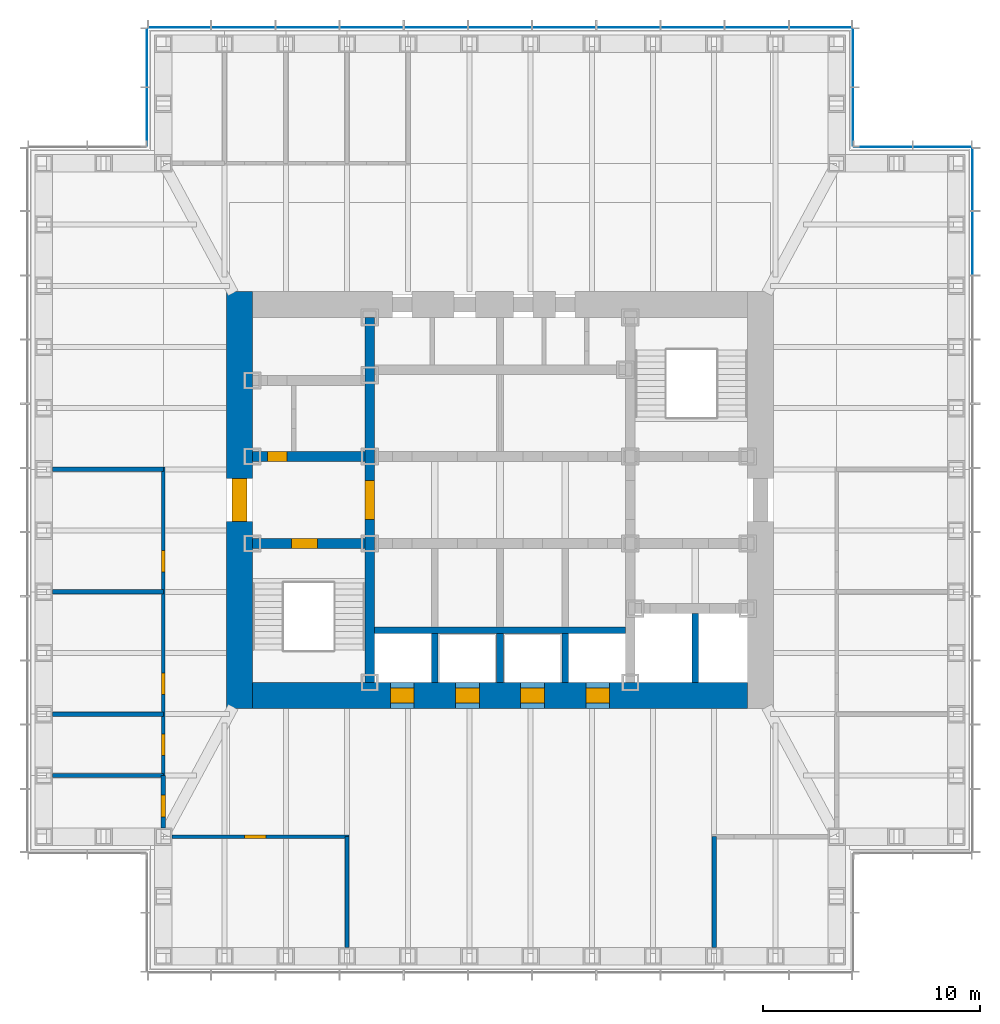
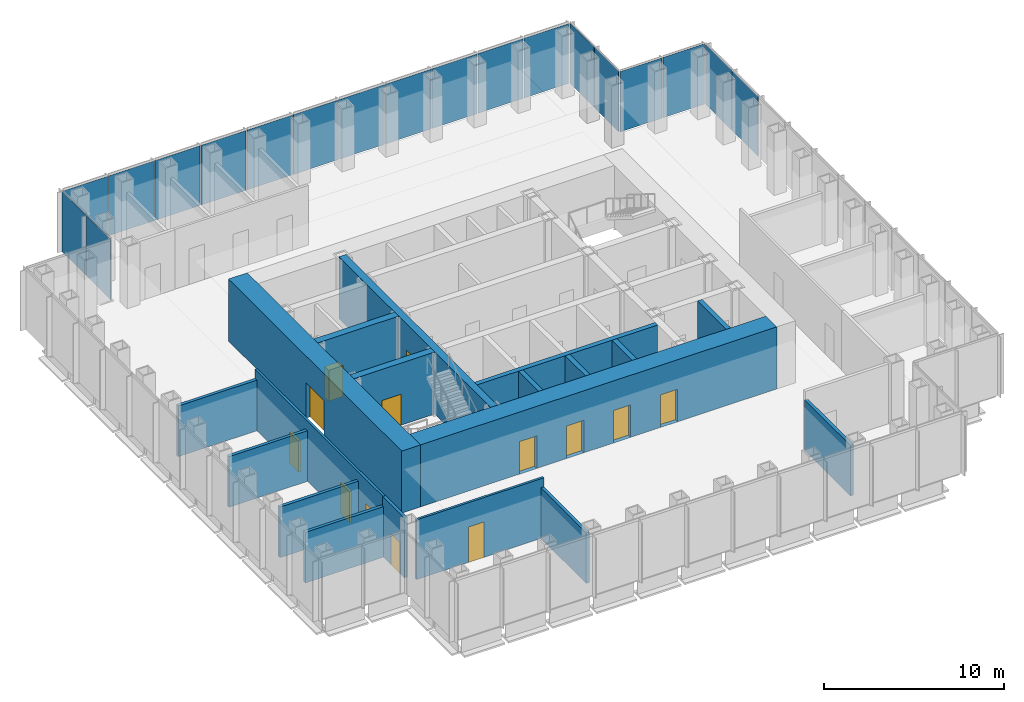
# One storey, part 8 of 16: 19 plates, 19 walls, 13 doors, 13 openings, 5 elements without a shape of their own.
"""IFC4 building model written with IfcOpenShell, lengths in metres."""

import ifcopenshell
import ifcopenshell.guid

model = None  # the IFC model being written
_history = None  # IfcOwnerHistory: only IFC2X3 demands one
_inside = {}  # id of a spatial element -> (the spatial element, [elements in it])
_under = {}  # id of a project, library or spatial element -> (it, [spatial elements below it])
_declared = {}  # id of a project -> (the project, [libraries it declares])
_typed = {}  # id of a type object -> (the type object, [elements of that type])
_made_of = {}  # id of a material, layer set ... -> (it, [elements and type objects made of it])


def new_model(schema):
    """Start an empty IFC model of exactly this schema.

    Asked for "IFC4X3", IfcOpenShell would pick the latest addendum, in which some entities
    have other attributes; the version numbers below select the first issue.
    IFC2X3 requires an IfcOwnerHistory on every rooted entity: one is made here for all.
    """
    global model, _history
    if schema == "IFC4X3":
        model = ifcopenshell.file(schema_version=(4, 3, 0, 0))
    else:
        model = ifcopenshell.file(schema=schema)
    _inside.clear()
    _under.clear()
    _declared.clear()
    _typed.clear()
    _made_of.clear()
    _history = None
    if model.schema == "IFC2X3":
        org = make("IfcOrganization", Name="unknown")
        user = make(
            "IfcPersonAndOrganization",
            ThePerson=make("IfcPerson", FamilyName="unknown"),
            TheOrganization=org,
        )
        app = make(
            "IfcApplication",
            ApplicationDeveloper=org,
            Version="unknown",
            ApplicationFullName="unknown",
            ApplicationIdentifier="unknown",
        )
        _history = make(
            "IfcOwnerHistory",
            OwningUser=user,
            OwningApplication=app,
            ChangeAction="ADDED",
            CreationDate=0,
        )
    return model


def make(cls, **values):
    """One entity of the class cls with the attributes given. An attribute that is None is left unset."""
    return model.create_entity(
        cls, **{name: value for name, value in values.items() if value is not None}
    )


def rooted(cls, **values):
    """An entity with a GlobalId (a new one), such as an element, a storey or a relation."""
    return make(cls, GlobalId=ifcopenshell.guid.new(), OwnerHistory=_history, **values)


def si_unit(unit_type, name, prefix=None):
    """IfcSIUnit, for example si_unit("LENGTHUNIT", "METRE", prefix="MILLI")."""
    return make("IfcSIUnit", UnitType=unit_type, Prefix=prefix, Name=name)


def assignment(units):
    """IfcUnitAssignment: the units of a project."""
    return None if units is None else make("IfcUnitAssignment", Units=units)


def point(xyz):
    """IfcCartesianPoint."""
    return None if xyz is None else make("IfcCartesianPoint", Coordinates=xyz)


def direction(xyz):
    """IfcDirection."""
    return None if xyz is None else make("IfcDirection", DirectionRatios=xyz)


def frame(location, z_axis=None, x_axis=None):
    """IfcAxis2Placement3D, a coordinate frame: its origin and axes. An axis left out is left unset."""
    return make(
        "IfcAxis2Placement3D",
        Location=point(location),
        Axis=direction(z_axis),
        RefDirection=direction(x_axis),
    )


def frame_2d(location, x_axis=None):
    """IfcAxis2Placement2D, a coordinate frame in the plane: its origin and x axis."""
    return make(
        "IfcAxis2Placement2D", Location=point(location), RefDirection=direction(x_axis)
    )


def origin():
    """The frame at (0, 0, 0) with its axes left unset."""
    return frame((0.0, 0.0, 0.0))


def origin_2d():
    """The frame at (0, 0) in the plane with its x axis left unset."""
    return frame_2d((0.0, 0.0))


def place(relative_to, where):
    """IfcLocalPlacement: puts the frame where relative to a parent placement (None: the world)."""
    return make(
        "IfcLocalPlacement", PlacementRelTo=relative_to, RelativePlacement=where
    )


def context(
    kind, dimensions, precision=None, world=None, true_north=None, identifier=None
):
    """IfcGeometricRepresentationContext, for example the 3D "Model" context."""
    return make(
        "IfcGeometricRepresentationContext",
        ContextIdentifier=identifier,
        ContextType=kind,
        CoordinateSpaceDimension=dimensions,
        Precision=precision,
        WorldCoordinateSystem=world,
        TrueNorth=true_north,
    )


def subcontext(parent, identifier, kind, view, scale=None):
    """IfcGeometricRepresentationSubContext, for example "Body" below "Model"."""
    return make(
        "IfcGeometricRepresentationSubContext",
        ContextIdentifier=identifier,
        ContextType=kind,
        ParentContext=parent,
        TargetScale=scale,
        TargetView=view,
    )


def project(units=None, contexts=None):
    """IfcProject with its units and contexts."""
    return rooted(
        "IfcProject",
        Name="project",
        RepresentationContexts=contexts,
        UnitsInContext=assignment(units),
    )


def spatial(cls, under=None, at=None, **own):
    """A site, building, storey or space (cls), placed at a placement, below another one or the project."""
    s = rooted(cls, ObjectPlacement=at, **own)
    if under is not None:
        _under.setdefault(under.id(), (under, []))[1].append(s)
    return s


def profile(cls, at=None, kind="AREA", **sizes):
    """A parametric profile (cls). Its sizes go by their IFC names, for example OverallWidth=200.0."""
    return make(cls, ProfileType=kind, Position=at, **sizes)


def rectangle(**sizes):
    """IfcRectangleProfileDef."""
    return profile("IfcRectangleProfileDef", **sizes)


def extrude(swept, where, along, depth):
    """IfcExtrudedAreaSolid: the profile swept, set in the frame where, extruded along a direction by depth."""
    return make(
        "IfcExtrudedAreaSolid",
        SweptArea=swept,
        Position=where,
        ExtrudedDirection=direction(along),
        Depth=depth,
    )


def shape(context_of_items, identifier, shape_type, items):
    """IfcShapeRepresentation: the items that make up one representation, for example the "Body"."""
    return make(
        "IfcShapeRepresentation",
        ContextOfItems=context_of_items,
        RepresentationIdentifier=identifier,
        RepresentationType=shape_type,
        Items=items,
    )


def material(Name=None, Category=None):
    """IfcMaterial."""
    return make("IfcMaterial", Name=Name, Category=Category)


def layer(
    of_material, thickness, ventilated=None, Name=None, Category=None, Priority=None
):
    """IfcMaterialLayer: one layer of a wall or slab, of a material (None: an air gap)."""
    return make(
        "IfcMaterialLayer",
        Material=of_material,
        LayerThickness=thickness,
        IsVentilated=ventilated,
        Name=Name,
        Category=Category,
        Priority=Priority,
    )


def layer_set(layers, Name=None):
    """IfcMaterialLayerSet."""
    return make("IfcMaterialLayerSet", MaterialLayers=layers, LayerSetName=Name)


def made_of(thing, what):
    """Note that an element or type object is made of a material, layer set ...; save() writes the relation."""
    if what is not None:
        _made_of.setdefault(what.id(), (what, []))[1].append(thing)
    return thing


def type_object(cls, material=None, **own):
    """A type object (cls), such as IfcWallType, which elements share."""
    return made_of(rooted(cls, **own), material)


def element(
    cls,
    number,
    at=None,
    inside=None,
    cuts=None,
    type_object=None,
    material=None,
    context=None,
    identifier="Body",
    shape_type=None,
    held_by="IfcProductDefinitionShape",
    body=None,
    shapes=None,
    **own,
):
    """One element of the class cls, such as IfcWall. Its Tag is "e" and its number.

    at: its placement. inside: the storey or other place that contains it. cuts: it is an
    opening in that element (IfcRelVoidsElement). A single representation is given by context,
    identifier, shape_type and body (its items); several are given by shapes. held_by: the class
    of the entity that holds the representations. save() writes the other relations.
    """
    e = rooted(cls, Tag="e%d" % number, ObjectPlacement=at, **own)
    if body is not None:
        shapes = [shape(context, identifier, shape_type, body)]
    if shapes is not None:
        e.Representation = make(held_by, Representations=shapes)
    if inside is not None:
        _inside.setdefault(inside.id(), (inside, []))[1].append(e)
    if cuts is not None:
        rooted(
            "IfcRelVoidsElement", RelatingBuildingElement=cuts, RelatedOpeningElement=e
        )
    if type_object is not None:
        _typed.setdefault(type_object.id(), (type_object, []))[1].append(e)
    return made_of(e, material)


def fill(opening, filler):
    """IfcRelFillsElement: the door or window that sits in an opening."""
    return rooted(
        "IfcRelFillsElement",
        RelatingOpeningElement=opening,
        RelatedBuildingElement=filler,
    )


def aggregate(whole, parts):
    """IfcRelAggregates: a whole, such as a stair, and the parts it consists of."""
    return rooted("IfcRelAggregates", RelatingObject=whole, RelatedObjects=parts)


def save(model, path):
    """Write the relations noted so far, then the file.

    IfcRelAggregates (storeys below a building ...), IfcRelContainedInSpatialStructure (elements
    in a storey), IfcRelDefinesByType, IfcRelAssociatesMaterial and IfcRelDeclares: one each for
    every whole, place, type object, material and project.
    """
    for whole, parts in _under.values():
        aggregate(whole, parts)
    for where, things in _inside.values():
        rooted(
            "IfcRelContainedInSpatialStructure",
            RelatedElements=things,
            RelatingStructure=where,
        )
    for kind, things in _typed.values():
        rooted("IfcRelDefinesByType", RelatedObjects=things, RelatingType=kind)
    for what, things in _made_of.values():
        rooted("IfcRelAssociatesMaterial", RelatedObjects=things, RelatingMaterial=what)
    for by, libraries in _declared.values():
        rooted("IfcRelDeclares", RelatingContext=by, RelatedDefinitions=libraries)
    model.write(path)


model = new_model("IFC4")

# Units and contexts
model_context = context("Model", 3, precision=1e-05, world=origin(), true_north=direction((0.0, 1.0)))
body_context = subcontext(model_context, "Body", "Model", "MODEL_VIEW")
ifc_project = project(units=[si_unit("LENGTHUNIT", "METRE"), si_unit("AREAUNIT", "SQUARE_METRE"), si_unit("VOLUMEUNIT", "CUBIC_METRE"), si_unit("PLANEANGLEUNIT", "RADIAN"), si_unit("MASSUNIT", "GRAM", prefix="KILO")], contexts=[model_context])

# Site, building, storey
site_placement = place(None, origin())
site = spatial("IfcSite", under=ifc_project, at=site_placement, CompositionType="ELEMENT")
building_placement = place(site_placement, origin())
building = spatial("IfcBuilding", under=site, at=building_placement, Name="Daluyong Arena Tower", CompositionType="ELEMENT")
storey_placement = place(building_placement, frame((0.0, 0.0, 235.89990234375)))
storey = spatial("IfcBuildingStorey", under=building, at=storey_placement, Name="L53", CompositionType="ELEMENT", Elevation=235.89990234375)

# Curtain wall, plates
ifc_material_1 = material(Name="Bronze anodised aluminium and glass", Category="aluminium")
curtain_wall_type_1 = type_object("IfcCurtainWallType", Name="Curtain wall CW3", PredefinedType="USERDEFINED", material=ifc_material_1)
curtain_wall_1_placement = place(storey_placement, origin())
curtain_wall_1 = element("IfcCurtainWall", 1, at=curtain_wall_1_placement, inside=storey, type_object=curtain_wall_type_1, Name="curtain wall L53 E", ObjectType="UNITISED CURTAIN WALL", PredefinedType="USERDEFINED")
ifc_material_2 = material(Name="Tinted double glazed unit", Category="glass")
ifc_layer_1 = layer(ifc_material_2, 0.030029296875)
ifc_layer_set_1 = layer_set([ifc_layer_1], Name="Tinted double glazed unit")
plate_type_1 = type_object("IfcPlateType", Name="CW3 panel 30", PredefinedType="CURTAIN_PANEL", material=ifc_layer_set_1)
plate_1_placement = place(storey_placement, frame((77.75, 91.818115234375, 0.0), z_axis=(0.0, 0.0, 1.0), x_axis=(0.0, 1.0, 0.0)))
plate_1 = element("IfcPlate", 2, at=plate_1_placement, type_object=plate_type_1, Name="curtain wall L53 E panel 10", PredefinedType="CURTAIN_PANEL", context=body_context, shape_type="SweptSolid", body=[
    extrude(rectangle(XDim=2.884521484375, YDim=0.030029296875, at=origin_2d()), origin(), (0.0, 0.0, 1.0), 4.0400390625),
])
plate_2_placement = place(storey_placement, frame((77.75, 94.755126953125, 0.0), z_axis=(0.0, 0.0, 1.0), x_axis=(0.0, 1.0, 0.0)))
plate_2 = element("IfcPlate", 3, at=plate_2_placement, type_object=plate_type_1, Name="curtain wall L53 E panel 11", PredefinedType="CURTAIN_PANEL", context=body_context, shape_type="SweptSolid", body=[
    extrude(rectangle(XDim=2.849609375, YDim=0.030029296875, at=origin_2d()), origin(), (0.0, 0.0, 1.0), 4.0400390625),
])
aggregate(curtain_wall_1, [plate_1, plate_2])

curtain_wall_2_placement = place(storey_placement, origin())
curtain_wall_2 = element("IfcCurtainWall", 4, at=curtain_wall_2_placement, inside=storey, type_object=curtain_wall_type_1, Name="curtain wall L53 N", ObjectType="UNITISED CURTAIN WALL", PredefinedType="USERDEFINED")
plate_3_placement = place(storey_placement, frame((70.755126953125, 101.75, 0.0), z_axis=(0.0, 0.0, 1.0), x_axis=(-1.0, 0.0, 0.0)))
plate_3 = element("IfcPlate", 5, at=plate_3_placement, type_object=plate_type_1, Name="curtain wall L53 N panel 1", PredefinedType="CURTAIN_PANEL", context=body_context, shape_type="SweptSolid", body=[
    extrude(rectangle(XDim=2.849609375, YDim=0.030029296875, at=origin_2d()), origin(), (0.0, 0.0, 1.0), 4.0400390625),
])
plate_4_placement = place(storey_placement, frame((67.818115234375, 101.75, 0.0), z_axis=(0.0, 0.0, 1.0), x_axis=(-1.0, 0.0, 0.0)))
plate_4 = element("IfcPlate", 6, at=plate_4_placement, type_object=plate_type_1, Name="curtain wall L53 N panel 2", PredefinedType="CURTAIN_PANEL", context=body_context, shape_type="SweptSolid", body=[
    extrude(rectangle(XDim=2.884521484375, YDim=0.030029296875, at=origin_2d()), origin(), (0.0, 0.0, 1.0), 4.0400390625),
])
plate_5_placement = place(storey_placement, frame((64.863525390625, 101.75, 0.0), z_axis=(0.0, 0.0, 1.0), x_axis=(-1.0, 0.0, 0.0)))
plate_5 = element("IfcPlate", 7, at=plate_5_placement, type_object=plate_type_1, Name="curtain wall L53 N panel 3", PredefinedType="CURTAIN_PANEL", context=body_context, shape_type="SweptSolid", body=[
    extrude(rectangle(XDim=2.884521484375, YDim=0.030029296875, at=origin_2d()), origin(), (0.0, 0.0, 1.0), 4.0400390625),
])
plate_6_placement = place(storey_placement, frame((61.9091796875, 101.75, 0.0), z_axis=(0.0, 0.0, 1.0), x_axis=(-1.0, 0.0, 0.0)))
plate_6 = element("IfcPlate", 8, at=plate_6_placement, type_object=plate_type_1, Name="curtain wall L53 N panel 4", PredefinedType="CURTAIN_PANEL", context=body_context, shape_type="SweptSolid", body=[
    extrude(rectangle(XDim=2.884521484375, YDim=0.030029296875, at=origin_2d()), origin(), (0.0, 0.0, 1.0), 4.0400390625),
])
plate_7_placement = place(storey_placement, frame((58.95458984375, 101.75, 0.0), z_axis=(0.0, 0.0, 1.0), x_axis=(-1.0, 0.0, 0.0)))
plate_7 = element("IfcPlate", 9, at=plate_7_placement, type_object=plate_type_1, Name="curtain wall L53 N panel 5", PredefinedType="CURTAIN_PANEL", context=body_context, shape_type="SweptSolid", body=[
    extrude(rectangle(XDim=2.884521484375, YDim=0.030029296875, at=origin_2d()), origin(), (0.0, 0.0, 1.0), 4.0400390625),
])
plate_8_placement = place(storey_placement, frame((56.0, 101.75, 0.0), z_axis=(0.0, 0.0, 1.0), x_axis=(-1.0, 0.0, 0.0)))
plate_8 = element("IfcPlate", 10, at=plate_8_placement, type_object=plate_type_1, Name="curtain wall L53 N panel 6", PredefinedType="CURTAIN_PANEL", context=body_context, shape_type="SweptSolid", body=[
    extrude(rectangle(XDim=2.884521484375, YDim=0.030029296875, at=origin_2d()), origin(), (0.0, 0.0, 1.0), 4.0400390625),
])
plate_9_placement = place(storey_placement, frame((53.04541015625, 101.75, 0.0), z_axis=(0.0, 0.0, 1.0), x_axis=(-1.0, 0.0, 0.0)))
plate_9 = element("IfcPlate", 11, at=plate_9_placement, type_object=plate_type_1, Name="curtain wall L53 N panel 7", PredefinedType="CURTAIN_PANEL", context=body_context, shape_type="SweptSolid", body=[
    extrude(rectangle(XDim=2.884521484375, YDim=0.030029296875, at=origin_2d()), origin(), (0.0, 0.0, 1.0), 4.0400390625),
])
plate_10_placement = place(storey_placement, frame((50.0908203125, 101.75, 0.0), z_axis=(0.0, 0.0, 1.0), x_axis=(-1.0, 0.0, 0.0)))
plate_10 = element("IfcPlate", 12, at=plate_10_placement, type_object=plate_type_1, Name="curtain wall L53 N panel 8", PredefinedType="CURTAIN_PANEL", context=body_context, shape_type="SweptSolid", body=[
    extrude(rectangle(XDim=2.884521484375, YDim=0.030029296875, at=origin_2d()), origin(), (0.0, 0.0, 1.0), 4.0400390625),
])
plate_11_placement = place(storey_placement, frame((47.136474609375, 101.75, 0.0), z_axis=(0.0, 0.0, 1.0), x_axis=(-1.0, 0.0, 0.0)))
plate_11 = element("IfcPlate", 13, at=plate_11_placement, type_object=plate_type_1, Name="curtain wall L53 N panel 9", PredefinedType="CURTAIN_PANEL", context=body_context, shape_type="SweptSolid", body=[
    extrude(rectangle(XDim=2.884521484375, YDim=0.030029296875, at=origin_2d()), origin(), (0.0, 0.0, 1.0), 4.0400390625),
])
plate_12_placement = place(storey_placement, frame((44.181884765625, 101.75, 0.0), z_axis=(0.0, 0.0, 1.0), x_axis=(-1.0, 0.0, 0.0)))
plate_12 = element("IfcPlate", 14, at=plate_12_placement, type_object=plate_type_1, Name="curtain wall L53 N panel 10", PredefinedType="CURTAIN_PANEL", context=body_context, shape_type="SweptSolid", body=[
    extrude(rectangle(XDim=2.884521484375, YDim=0.030029296875, at=origin_2d()), origin(), (0.0, 0.0, 1.0), 4.0400390625),
])
plate_13_placement = place(storey_placement, frame((41.244873046875, 101.75, 0.0), z_axis=(0.0, 0.0, 1.0), x_axis=(-1.0, 0.0, 0.0)))
plate_13 = element("IfcPlate", 15, at=plate_13_placement, type_object=plate_type_1, Name="curtain wall L53 N panel 11", PredefinedType="CURTAIN_PANEL", context=body_context, shape_type="SweptSolid", body=[
    extrude(rectangle(XDim=2.849609375, YDim=0.030029296875, at=origin_2d()), origin(), (0.0, 0.0, 1.0), 4.0400390625),
])
aggregate(curtain_wall_2, [plate_3, plate_4, plate_5, plate_6, plate_7, plate_8, plate_9, plate_10, plate_11, plate_12, plate_13])

ifc_material_3 = material(Name="Bronze anodised aluminium and glass", Category="aluminium")
curtain_wall_type_2 = type_object("IfcCurtainWallType", Name="Curtain wall CW7", PredefinedType="USERDEFINED", material=ifc_material_3)
curtain_wall_3_placement = place(storey_placement, origin())
curtain_wall_3 = element("IfcCurtainWall", 16, at=curtain_wall_3_placement, inside=storey, type_object=curtain_wall_type_2, Name="curtain wall L53 NE-N", ObjectType="UNITISED CURTAIN WALL", PredefinedType="USERDEFINED")
ifc_material_4 = material(Name="Tinted double glazed unit", Category="glass")
ifc_layer_2 = layer(ifc_material_4, 0.028076171875)
ifc_layer_set_2 = layer_set([ifc_layer_2], Name="Tinted double glazed unit")
plate_type_2 = type_object("IfcPlateType", Name="CW7 panel 28", PredefinedType="CURTAIN_PANEL", material=ifc_layer_set_2)
plate_14_placement = place(storey_placement, frame((76.360107421875, 96.25, 0.0), z_axis=(0.0, 0.0, 1.0), x_axis=(-1.0, 0.0, 0.0)))
plate_14 = element("IfcPlate", 17, at=plate_14_placement, type_object=plate_type_2, Name="curtain wall L53 NE-N panel 1", PredefinedType="CURTAIN_PANEL", context=body_context, shape_type="SweptSolid", body=[
    extrude(rectangle(XDim=2.659912109375, YDim=0.028076171875, at=origin_2d()), origin(), (0.0, 0.0, 1.0), 4.080078125),
])
plate_15_placement = place(storey_placement, frame((73.639892578125, 96.25, 0.0), z_axis=(0.0, 0.0, 1.0), x_axis=(-1.0, 0.0, 0.0)))
plate_15 = element("IfcPlate", 18, at=plate_15_placement, type_object=plate_type_2, Name="curtain wall L53 NE-N panel 2", PredefinedType="CURTAIN_PANEL", context=body_context, shape_type="SweptSolid", body=[
    extrude(rectangle(XDim=2.659912109375, YDim=0.028076171875, at=origin_2d()), origin(), (0.0, 0.0, 1.0), 4.080078125),
])
aggregate(curtain_wall_3, [plate_14, plate_15])

curtain_wall_4_placement = place(storey_placement, origin())
curtain_wall_4 = element("IfcCurtainWall", 19, at=curtain_wall_4_placement, inside=storey, type_object=curtain_wall_type_2, Name="curtain wall L53 NE-E", ObjectType="UNITISED CURTAIN WALL", PredefinedType="USERDEFINED")
plate_16_placement = place(storey_placement, frame((72.25, 97.639892578125, 0.0), z_axis=(0.0, 0.0, 1.0), x_axis=(0.0, 1.0, 0.0)))
plate_16 = element("IfcPlate", 20, at=plate_16_placement, type_object=plate_type_2, Name="curtain wall L53 NE-E panel 1", PredefinedType="CURTAIN_PANEL", context=body_context, shape_type="SweptSolid", body=[
    extrude(rectangle(XDim=2.659912109375, YDim=0.028076171875, at=origin_2d()), origin(), (0.0, 0.0, 1.0), 4.080078125),
])
plate_17_placement = place(storey_placement, frame((72.25, 100.360107421875, 0.0), z_axis=(0.0, 0.0, 1.0), x_axis=(0.0, 1.0, 0.0)))
plate_17 = element("IfcPlate", 21, at=plate_17_placement, type_object=plate_type_2, Name="curtain wall L53 NE-E panel 2", PredefinedType="CURTAIN_PANEL", context=body_context, shape_type="SweptSolid", body=[
    extrude(rectangle(XDim=2.659912109375, YDim=0.028076171875, at=origin_2d()), origin(), (0.0, 0.0, 1.0), 4.080078125),
])
aggregate(curtain_wall_4, [plate_16, plate_17])

curtain_wall_5_placement = place(storey_placement, origin())
curtain_wall_5 = element("IfcCurtainWall", 22, at=curtain_wall_5_placement, inside=storey, type_object=curtain_wall_type_2, Name="curtain wall L53 NW-W", ObjectType="UNITISED CURTAIN WALL", PredefinedType="USERDEFINED")
plate_18_placement = place(storey_placement, frame((39.75, 100.360107421875, 0.0), z_axis=(0.0, 0.0, 1.0), x_axis=(0.0, -1.0, 0.0)))
plate_18 = element("IfcPlate", 23, at=plate_18_placement, type_object=plate_type_2, Name="curtain wall L53 NW-W panel 1", PredefinedType="CURTAIN_PANEL", context=body_context, shape_type="SweptSolid", body=[
    extrude(rectangle(XDim=2.659912109375, YDim=0.028076171875, at=origin_2d()), origin(), (0.0, 0.0, 1.0), 4.080078125),
])
plate_19_placement = place(storey_placement, frame((39.75, 97.639892578125, 0.0), z_axis=(0.0, 0.0, 1.0), x_axis=(0.0, -1.0, 0.0)))
plate_19 = element("IfcPlate", 24, at=plate_19_placement, type_object=plate_type_2, Name="curtain wall L53 NW-W panel 2", PredefinedType="CURTAIN_PANEL", context=body_context, shape_type="SweptSolid", body=[
    extrude(rectangle(XDim=2.659912109375, YDim=0.028076171875, at=origin_2d()), origin(), (0.0, 0.0, 1.0), 4.080078125),
])
aggregate(curtain_wall_5, [plate_18, plate_19])

# Wall, opening, door
ifc_material_5 = material(Name="Concrete fc' 45 MPa", Category="concrete")
ifc_layer_3 = layer(ifc_material_5, 0.449951171875)
ifc_layer_set_3 = layer_set([ifc_layer_3], Name="Concrete fc' 45 MPa")
wall_type_1 = type_object("IfcWallType", Name="Core inner wall 450", PredefinedType="SHEAR", material=ifc_layer_set_3)
wall_1_placement = place(storey_placement, frame((50.0, 71.60009765625, 0.0), z_axis=(0.0, 0.0, 1.0), x_axis=(0.0, 1.0, 0.0)))
wall_1 = element("IfcWall", 25, at=wall_1_placement, inside=storey, type_object=wall_type_1, Name="core inner wall at L53", PredefinedType="SHEAR", context=body_context, shape_type="SweptSolid", body=[
    extrude(rectangle(XDim=16.7998046875, YDim=0.449951171875, at=frame_2d((8.39990234375, 0.0))), origin(), (0.0, 0.0, 1.0), 4.2001953125),
])
opening_1_placement = place(wall_1_placement, frame((7.5, 0.0, 0.0)))
opening_1 = element("IfcOpeningElement", 26, at=opening_1_placement, cuts=wall_1, Name="Opening 53021", PredefinedType="OPENING", context=body_context, shape_type="SweptSolid", body=[
    extrude(rectangle(XDim=1.800048828125, YDim=2.39990234375, at=frame_2d((0.89990234375, 1.199951171875))), frame((0.0, 0.23486328125, 0.0), z_axis=(0.0, -1.0, 0.0), x_axis=(1.0, 0.0, 0.0)), (0.0, 0.0, 1.0), 0.469970703125),
])
ifc_material_6 = material(Name="Steel door, fire rated", Category="steel")
door_type_1 = type_object("IfcDoorType", Name="Lift lobby opening door 1800", OperationType="DOUBLE_DOOR_SINGLE_SWING", PredefinedType="DOOR", material=ifc_material_6)
door_1_placement = place(opening_1_placement, origin())
door_1 = element("IfcDoor", 27, at=door_1_placement, inside=storey, type_object=door_type_1, Name="lift lobby door west 53021", OperationType="DOUBLE_DOOR_SINGLE_SWING", OverallHeight=2.39990234375, OverallWidth=1.800048828125, PredefinedType="DOOR", context=body_context, shape_type="SweptSolid", body=[
    extrude(rectangle(XDim=1.800048828125, YDim=2.39990234375, at=frame_2d((0.89990234375, 1.199951171875))), frame((0.0, 0.224609375, 0.0), z_axis=(0.0, -1.0, 0.0), x_axis=(1.0, 0.0, 0.0)), (0.0, 0.0, 1.0), 0.449462890625),
])
fill(opening_1, door_1)

wall_2_placement = place(storey_placement, frame((44.60009765625, 78.0, 0.0), z_axis=(0.0, 0.0, 1.0), x_axis=(1.0, 0.0, 0.0)))
wall_2 = element("IfcWall", 28, at=wall_2_placement, inside=storey, type_object=wall_type_1, Name="core inner wall at L53", PredefinedType="SHEAR", context=body_context, shape_type="SweptSolid", body=[
    extrude(rectangle(XDim=5.1748046875, YDim=0.449951171875, at=frame_2d((2.58740234375, 0.0))), origin(), (0.0, 0.0, 1.0), 4.2001953125),
])
opening_2_placement = place(wall_2_placement, frame((1.800048828125, 0.0, 0.0)))
opening_2 = element("IfcOpeningElement", 29, at=opening_2_placement, cuts=wall_2, Name="Opening 53017", PredefinedType="OPENING", context=body_context, shape_type="SweptSolid", body=[
    extrude(rectangle(XDim=1.199951171875, YDim=2.10009765625, at=frame_2d((0.60009765625, 1.050048828125))), frame((0.0, 0.23486328125, 0.0), z_axis=(0.0, -1.0, 0.0), x_axis=(1.0, 0.0, 0.0)), (0.0, 0.0, 1.0), 0.469970703125),
])
ifc_material_7 = material(Name="Steel door, fire rated", Category="steel")
door_type_2 = type_object("IfcDoorType", Name="Stair door 1200", OperationType="SINGLE_SWING_LEFT", PredefinedType="DOOR", material=ifc_material_7)
door_2_placement = place(opening_2_placement, origin())
door_2 = element("IfcDoor", 30, at=door_2_placement, inside=storey, type_object=door_type_2, Name="stair A door 53017", OperationType="SINGLE_SWING_LEFT", OverallHeight=2.10009765625, OverallWidth=1.199951171875, PredefinedType="DOOR", context=body_context, shape_type="SweptSolid", body=[
    extrude(rectangle(XDim=1.199951171875, YDim=2.10009765625, at=frame_2d((0.60009765625, 1.050048828125))), frame((0.0, 0.224609375, 0.0), z_axis=(0.0, -1.0, 0.0), x_axis=(1.0, 0.0, 0.0)), (0.0, 0.0, 1.0), 0.449462890625),
])
fill(opening_2, door_2)

wall_3_placement = place(storey_placement, frame((44.60009765625, 82.0, 0.0), z_axis=(0.0, 0.0, 1.0), x_axis=(1.0, 0.0, 0.0)))
wall_3 = element("IfcWall", 31, at=wall_3_placement, inside=storey, type_object=wall_type_1, Name="core inner wall at L53", PredefinedType="SHEAR", context=body_context, shape_type="SweptSolid", body=[
    extrude(rectangle(XDim=5.1748046875, YDim=0.449951171875, at=frame_2d((2.58740234375, 0.0))), origin(), (0.0, 0.0, 1.0), 4.2001953125),
])
opening_3_placement = place(wall_3_placement, frame((0.699951171875, 0.0, 0.0)))
opening_3 = element("IfcOpeningElement", 32, at=opening_3_placement, cuts=wall_3, Name="Opening 53001", PredefinedType="OPENING", context=body_context, shape_type="SweptSolid", body=[
    extrude(rectangle(XDim=0.89990234375, YDim=2.10009765625, at=frame_2d((0.449951171875, 1.050048828125))), frame((0.0, 0.23486328125, 0.0), z_axis=(0.0, -1.0, 0.0), x_axis=(1.0, 0.0, 0.0)), (0.0, 0.0, 1.0), 0.469970703125),
])
ifc_material_8 = material(Name="Steel door, fire rated", Category="steel")
door_type_3 = type_object("IfcDoorType", Name="Core room door 900", OperationType="SINGLE_SWING_LEFT", PredefinedType="DOOR", material=ifc_material_8)
door_3_placement = place(opening_3_placement, origin())
door_3 = element("IfcDoor", 33, at=door_3_placement, inside=storey, type_object=door_type_3, Name="toilet lobby door 53001", OperationType="SINGLE_SWING_LEFT", OverallHeight=2.10009765625, OverallWidth=0.89990234375, PredefinedType="DOOR", context=body_context, shape_type="SweptSolid", body=[
    extrude(rectangle(XDim=0.89990234375, YDim=2.10009765625, at=frame_2d((0.449951171875, 1.050048828125))), frame((0.0, 0.224609375, 0.0), z_axis=(0.0, -1.0, 0.0), x_axis=(1.0, 0.0, 0.0)), (0.0, 0.0, 1.0), 0.449462890625),
])
fill(opening_3, door_3)

ifc_material_9 = material(Name="Concrete fc' 60 MPa", Category="concrete")
ifc_layer_4 = layer(ifc_material_9, 1.199951171875)
ifc_layer_set_4 = layer_set([ifc_layer_4], Name="Concrete fc' 60 MPa")
wall_type_2 = type_object("IfcWallType", Name="Core wall 1200", PredefinedType="SHEAR", material=ifc_layer_set_4)
wall_4_placement = place(storey_placement, frame((44.0, 70.39990234375, 0.0), z_axis=(0.0, 0.0, 1.0), x_axis=(0.0, 1.0, 0.0)))
wall_4 = element("IfcWall", 34, at=wall_4_placement, inside=storey, type_object=wall_type_2, Name="core wall at L53", PredefinedType="SHEAR", context=body_context, shape_type="SweptSolid", body=[
    extrude(rectangle(XDim=19.2001953125, YDim=1.199951171875, at=frame_2d((9.60009765625, 0.0))), origin(), (0.0, 0.0, 1.0), 4.2001953125),
])
opening_4_placement = place(wall_4_placement, frame((8.60009765625, 0.0, 0.0)))
opening_4 = element("IfcOpeningElement", 35, at=opening_4_placement, cuts=wall_4, Name="Opening 53019", PredefinedType="OPENING", context=body_context, shape_type="SweptSolid", body=[
    extrude(rectangle(XDim=2.0, YDim=2.39990234375, at=frame_2d((1.0, 1.199951171875))), frame((0.0, 0.60986328125, 0.0), z_axis=(0.0, -1.0, 0.0), x_axis=(1.0, 0.0, 0.0)), (0.0, 0.0, 1.0), 1.219970703125),
])
ifc_material_10 = material(Name="Steel door, fire rated", Category="steel")
door_type_4 = type_object("IfcDoorType", Name="Core lobby double door 2000", OperationType="DOUBLE_DOOR_SINGLE_SWING", PredefinedType="DOOR", material=ifc_material_10)
door_4_placement = place(opening_4_placement, origin())
door_4 = element("IfcDoor", 36, at=door_4_placement, inside=storey, type_object=door_type_4, Name="core lobby door west 53019", OperationType="DOUBLE_DOOR_SINGLE_SWING", OverallHeight=2.39990234375, OverallWidth=2.0, PredefinedType="DOOR", context=body_context, shape_type="SweptSolid", body=[
    extrude(rectangle(XDim=2.0, YDim=2.39990234375, at=frame_2d((1.0, 1.199951171875))), frame((0.0, 0.35009765625, 0.0), z_axis=(0.0, -1.0, 0.0), x_axis=(1.0, 0.0, 0.0)), (0.0, 0.0, 1.0), 0.699951171875),
])
fill(opening_4, door_4)

# Wall, openings, doors
wall_5_placement = place(storey_placement, frame((44.60009765625, 71.0, 0.0), z_axis=(0.0, 0.0, 1.0), x_axis=(1.0, 0.0, 0.0)))
wall_5 = element("IfcWall", 37, at=wall_5_placement, inside=storey, type_object=wall_type_2, Name="core wall at L53", PredefinedType="SHEAR", context=body_context, shape_type="SweptSolid", body=[
    extrude(rectangle(XDim=22.7998046875, YDim=1.199951171875, at=frame_2d((11.39990234375, 0.0))), origin(), (0.0, 0.0, 1.0), 4.2001953125),
])
opening_5_placement = place(wall_5_placement, frame((6.35009765625, 0.0, 0.0)))
opening_5 = element("IfcOpeningElement", 38, at=opening_5_placement, cuts=wall_5, Name="Opening 53024", PredefinedType="OPENING", context=body_context, shape_type="SweptSolid", body=[
    extrude(rectangle(XDim=1.10009765625, YDim=2.199951171875, at=frame_2d((0.550048828125, 1.10009765625))), frame((0.0, 0.60986328125, 0.0), z_axis=(0.0, -1.0, 0.0), x_axis=(1.0, 0.0, 0.0)), (0.0, 0.0, 1.0), 1.219970703125),
])
opening_6_placement = place(wall_5_placement, frame((9.35009765625, 0.0, 0.0)))
opening_6 = element("IfcOpeningElement", 39, at=opening_6_placement, cuts=wall_5, Name="Opening 53025", PredefinedType="OPENING", context=body_context, shape_type="SweptSolid", body=[
    extrude(rectangle(XDim=1.10009765625, YDim=2.199951171875, at=frame_2d((0.550048828125, 1.10009765625))), frame((0.0, 0.60986328125, 0.0), z_axis=(0.0, -1.0, 0.0), x_axis=(1.0, 0.0, 0.0)), (0.0, 0.0, 1.0), 1.219970703125),
])
opening_7_placement = place(wall_5_placement, frame((12.35009765625, 0.0, 0.0)))
opening_7 = element("IfcOpeningElement", 40, at=opening_7_placement, cuts=wall_5, Name="Opening 53026", PredefinedType="OPENING", context=body_context, shape_type="SweptSolid", body=[
    extrude(rectangle(XDim=1.10009765625, YDim=2.199951171875, at=frame_2d((0.550048828125, 1.10009765625))), frame((0.0, 0.60986328125, 0.0), z_axis=(0.0, -1.0, 0.0), x_axis=(1.0, 0.0, 0.0)), (0.0, 0.0, 1.0), 1.219970703125),
])
opening_8_placement = place(wall_5_placement, frame((15.35009765625, 0.0, 0.0)))
opening_8 = element("IfcOpeningElement", 41, at=opening_8_placement, cuts=wall_5, Name="Opening 53027", PredefinedType="OPENING", context=body_context, shape_type="SweptSolid", body=[
    extrude(rectangle(XDim=1.10009765625, YDim=2.199951171875, at=frame_2d((0.550048828125, 1.10009765625))), frame((0.0, 0.60986328125, 0.0), z_axis=(0.0, -1.0, 0.0), x_axis=(1.0, 0.0, 0.0)), (0.0, 0.0, 1.0), 1.219970703125),
])
ifc_material_11 = material(Name="Steel door, fire rated", Category="steel")
door_type_5 = type_object("IfcDoorType", Name="Lift landing door 1100", OperationType="SLIDING_TO_LEFT", PredefinedType="DOOR", material=ifc_material_11)
door_5_placement = place(opening_5_placement, origin())
door_5 = element("IfcDoor", 42, at=door_5_placement, inside=storey, type_object=door_type_5, Name="lift landing door C1 53024", OperationType="SLIDING_TO_LEFT", OverallHeight=2.199951171875, OverallWidth=1.10009765625, PredefinedType="DOOR", context=body_context, shape_type="SweptSolid", body=[
    extrude(rectangle(XDim=1.10009765625, YDim=2.199951171875, at=frame_2d((0.550048828125, 1.10009765625))), frame((0.0, 0.35009765625, 0.0), z_axis=(0.0, -1.0, 0.0), x_axis=(1.0, 0.0, 0.0)), (0.0, 0.0, 1.0), 0.699951171875),
])
fill(opening_5, door_5)
door_6_placement = place(opening_6_placement, origin())
door_6 = element("IfcDoor", 43, at=door_6_placement, inside=storey, type_object=door_type_5, Name="lift landing door C2 53025", OperationType="SLIDING_TO_LEFT", OverallHeight=2.199951171875, OverallWidth=1.10009765625, PredefinedType="DOOR", context=body_context, shape_type="SweptSolid", body=[
    extrude(rectangle(XDim=1.10009765625, YDim=2.199951171875, at=frame_2d((0.550048828125, 1.10009765625))), frame((0.0, 0.35009765625, 0.0), z_axis=(0.0, -1.0, 0.0), x_axis=(1.0, 0.0, 0.0)), (0.0, 0.0, 1.0), 0.699951171875),
])
fill(opening_6, door_6)
door_7_placement = place(opening_7_placement, origin())
door_7 = element("IfcDoor", 44, at=door_7_placement, inside=storey, type_object=door_type_5, Name="lift landing door C3 53026", OperationType="SLIDING_TO_LEFT", OverallHeight=2.199951171875, OverallWidth=1.10009765625, PredefinedType="DOOR", context=body_context, shape_type="SweptSolid", body=[
    extrude(rectangle(XDim=1.10009765625, YDim=2.199951171875, at=frame_2d((0.550048828125, 1.10009765625))), frame((0.0, 0.35009765625, 0.0), z_axis=(0.0, -1.0, 0.0), x_axis=(1.0, 0.0, 0.0)), (0.0, 0.0, 1.0), 0.699951171875),
])
fill(opening_7, door_7)
door_8_placement = place(opening_8_placement, origin())
door_8 = element("IfcDoor", 45, at=door_8_placement, inside=storey, type_object=door_type_5, Name="lift landing door C4 53027", OperationType="SLIDING_TO_LEFT", OverallHeight=2.199951171875, OverallWidth=1.10009765625, PredefinedType="DOOR", context=body_context, shape_type="SweptSolid", body=[
    extrude(rectangle(XDim=1.10009765625, YDim=2.199951171875, at=frame_2d((0.550048828125, 1.10009765625))), frame((0.0, 0.35009765625, 0.0), z_axis=(0.0, -1.0, 0.0), x_axis=(1.0, 0.0, 0.0)), (0.0, 0.0, 1.0), 0.699951171875),
])
fill(opening_8, door_8)

# Wall, opening, door
ifc_material_12 = material(Name="Glazed aluminium partition", Category="aluminium")
ifc_layer_5 = layer(ifc_material_12, 0.14990234375)
ifc_layer_set_5 = layer_set([ifc_layer_5], Name="Glazed aluminium partition")
wall_type_3 = type_object("IfcWallType", Name="Glazed partition 150", PredefinedType="PARTITIONING", material=ifc_layer_set_5)
wall_6_placement = place(storey_placement, frame((40.89990234375, 64.5, 0.0), z_axis=(0.0, 0.0, 1.0), x_axis=(1.0, 0.0, 0.0)))
wall_6 = element("IfcWall", 46, at=wall_6_placement, inside=storey, type_object=wall_type_3, Name="glazed partition at L53", PredefinedType="PARTITIONING", context=body_context, shape_type="SweptSolid", body=[
    extrude(rectangle(XDim=8.154541015625, YDim=0.14990234375, at=frame_2d((4.0771484375, 0.0))), origin(), (0.0, 0.0, 1.0), 4.0400390625),
])
opening_9_placement = place(wall_6_placement, frame((3.327392578125, 0.0, 0.0)))
opening_9 = element("IfcOpeningElement", 47, at=opening_9_placement, cuts=wall_6, Name="Opening 53030", PredefinedType="OPENING", context=body_context, shape_type="SweptSolid", body=[
    extrude(rectangle(XDim=1.0, YDim=2.39990234375, at=frame_2d((0.5, 1.199951171875))), frame((0.0, 0.0849609375, 0.0), z_axis=(0.0, -1.0, 0.0), x_axis=(1.0, 0.0, 0.0)), (0.0, 0.0, 1.0), 0.169921875),
])
ifc_material_13 = material(Name="Glazed aluminium door", Category="aluminium")
door_type_6 = type_object("IfcDoorType", Name="Meeting room glazed door 1000", OperationType="SINGLE_SWING_RIGHT", PredefinedType="DOOR", material=ifc_material_13)
door_9_placement = place(opening_9_placement, origin())
door_9 = element("IfcDoor", 48, at=door_9_placement, inside=storey, type_object=door_type_6, Name="meeting room door 53030", OperationType="SINGLE_SWING_RIGHT", OverallHeight=2.39990234375, OverallWidth=1.0, PredefinedType="DOOR", context=body_context, shape_type="SweptSolid", body=[
    extrude(rectangle(XDim=1.0, YDim=2.39990234375, at=frame_2d((0.5, 1.199951171875))), frame((0.0, 0.07470703125, 0.0), z_axis=(0.0, -1.0, 0.0), x_axis=(1.0, 0.0, 0.0)), (0.0, 0.0, 1.0), 0.1494140625),
])
fill(opening_9, door_9)

# Wall, openings, doors
wall_7_placement = place(storey_placement, frame((40.5, 67.318115234375, 0.0), z_axis=(0.0, 0.0, 1.0), x_axis=(0.0, 1.0, 0.0)))
wall_7 = element("IfcWall", 49, at=wall_7_placement, inside=storey, type_object=wall_type_3, Name="glazed partition at L53", PredefinedType="PARTITIONING", context=body_context, shape_type="SweptSolid", body=[
    extrude(rectangle(XDim=14.19091796875, YDim=0.14990234375, at=frame_2d((7.095458984375, 0.0))), origin(), (0.0, 0.0, 1.0), 4.0400390625),
])
opening_10_placement = place(wall_7_placement, frame((0.9091796875, 0.0, 0.0)))
opening_10 = element("IfcOpeningElement", 50, at=opening_10_placement, cuts=wall_7, Name="Opening 53040", PredefinedType="OPENING", context=body_context, shape_type="SweptSolid", body=[
    extrude(rectangle(XDim=1.0, YDim=2.39990234375, at=frame_2d((0.5, 1.199951171875))), frame((0.0, 0.0849609375, 0.0), z_axis=(0.0, -1.0, 0.0), x_axis=(1.0, 0.0, 0.0)), (0.0, 0.0, 1.0), 0.169921875),
])
opening_11_placement = place(wall_7_placement, frame((3.727294921875, 0.0, 0.0)))
opening_11 = element("IfcOpeningElement", 51, at=opening_11_placement, cuts=wall_7, Name="Opening 53041", PredefinedType="OPENING", context=body_context, shape_type="SweptSolid", body=[
    extrude(rectangle(XDim=1.0, YDim=2.10009765625, at=frame_2d((0.5, 1.050048828125))), frame((0.0, 0.0849609375, 0.0), z_axis=(0.0, -1.0, 0.0), x_axis=(1.0, 0.0, 0.0)), (0.0, 0.0, 1.0), 0.169921875),
])
opening_12_placement = place(wall_7_placement, frame((9.363525390625, 0.0, 0.0)))
opening_12 = element("IfcOpeningElement", 52, at=opening_12_placement, cuts=wall_7, Name="Opening 53042", PredefinedType="OPENING", context=body_context, shape_type="SweptSolid", body=[
    extrude(rectangle(XDim=1.0, YDim=2.10009765625, at=frame_2d((0.5, 1.050048828125))), frame((0.0, 0.0849609375, 0.0), z_axis=(0.0, -1.0, 0.0), x_axis=(1.0, 0.0, 0.0)), (0.0, 0.0, 1.0), 0.169921875),
])
door_10_placement = place(opening_10_placement, origin())
door_10 = element("IfcDoor", 53, at=door_10_placement, inside=storey, type_object=door_type_6, Name="focus room door 53040", OperationType="SINGLE_SWING_RIGHT", OverallHeight=2.39990234375, OverallWidth=1.0, PredefinedType="DOOR", context=body_context, shape_type="SweptSolid", body=[
    extrude(rectangle(XDim=1.0, YDim=2.39990234375, at=frame_2d((0.5, 1.199951171875))), frame((0.0, 0.07470703125, 0.0), z_axis=(0.0, -1.0, 0.0), x_axis=(1.0, 0.0, 0.0)), (0.0, 0.0, 1.0), 0.1494140625),
])
fill(opening_10, door_10)
ifc_material_14 = material(Name="Timber door", Category="wood")
door_type_7 = type_object("IfcDoorType", Name="Room door 1000", OperationType="SINGLE_SWING_LEFT", PredefinedType="DOOR", material=ifc_material_14)
door_11_placement = place(opening_11_placement, origin())
door_11 = element("IfcDoor", 54, at=door_11_placement, inside=storey, type_object=door_type_7, Name="executive office door 53041", OperationType="SINGLE_SWING_LEFT", OverallHeight=2.10009765625, OverallWidth=1.0, PredefinedType="DOOR", context=body_context, shape_type="SweptSolid", body=[
    extrude(rectangle(XDim=1.0, YDim=2.10009765625, at=frame_2d((0.5, 1.050048828125))), frame((0.0, 0.07470703125, 0.0), z_axis=(0.0, -1.0, 0.0), x_axis=(1.0, 0.0, 0.0)), (0.0, 0.0, 1.0), 0.1494140625),
])
fill(opening_11, door_11)
door_12_placement = place(opening_12_placement, origin())
door_12 = element("IfcDoor", 55, at=door_12_placement, inside=storey, type_object=door_type_7, Name="executive office door 53042", OperationType="SINGLE_SWING_LEFT", OverallHeight=2.10009765625, OverallWidth=1.0, PredefinedType="DOOR", context=body_context, shape_type="SweptSolid", body=[
    extrude(rectangle(XDim=1.0, YDim=2.10009765625, at=frame_2d((0.5, 1.050048828125))), frame((0.0, 0.07470703125, 0.0), z_axis=(0.0, -1.0, 0.0), x_axis=(1.0, 0.0, 0.0)), (0.0, 0.0, 1.0), 0.1494140625),
])
fill(opening_12, door_12)

# Walls
ifc_material_15 = material(Name="Concrete fc' 45 MPa", Category="concrete")
ifc_layer_6 = layer(ifc_material_15, 0.300048828125)
ifc_layer_set_6 = layer_set([ifc_layer_6], Name="Concrete fc' 45 MPa")
wall_type_4 = type_object("IfcWallType", Name="Lift shaft wall 300", PredefinedType="SHEAR", material=ifc_layer_set_6)
wall_8_placement = place(storey_placement, frame((50.22509765625, 74.0, 0.0), z_axis=(0.0, 0.0, 1.0), x_axis=(1.0, 0.0, 0.0)))
element("IfcWall", 56, at=wall_8_placement, inside=storey, type_object=wall_type_4, Name="lift shaft wall at L53", PredefinedType="SHEAR", context=body_context, shape_type="SweptSolid", body=[
    extrude(rectangle(XDim=11.5498046875, YDim=0.300048828125, at=frame_2d((5.77490234375, 0.0))), origin(), (0.0, 0.0, 1.0), 4.2001953125),
])
for number, where, z_axis, x_axis, name in (
    (57, (53.0, 71.60009765625, 0.0), (0.0, 0.0, 1.0), (0.0, 1.0, 0.0), "lift shaft wall at L53"),
    (58, (56.0, 71.60009765625, 0.0), (0.0, 0.0, 1.0), (0.0, 1.0, 0.0), "lift shaft wall at L53"),
    (59, (59.0, 71.60009765625, 0.0), (0.0, 0.0, 1.0), (0.0, 1.0, 0.0), "lift shaft wall at L53"),
):
    element("IfcWall", number, at=place(storey_placement, frame(where, z_axis=z_axis, x_axis=x_axis)), inside=storey, type_object=wall_type_4, Name=name, PredefinedType="SHEAR", context=body_context, shape_type="SweptSolid", body=[
        extrude(rectangle(XDim=2.25, YDim=0.300048828125, at=frame_2d((1.125, 0.0))), origin(), (0.0, 0.0, 1.0), 4.2001953125),
    ])
wall_9_placement = place(storey_placement, frame((65.0, 71.60009765625, 0.0), z_axis=(0.0, 0.0, 1.0), x_axis=(0.0, 1.0, 0.0)))
element("IfcWall", 60, at=wall_9_placement, inside=storey, type_object=wall_type_4, Name="lift shaft wall at L53", PredefinedType="SHEAR", context=body_context, shape_type="SweptSolid", body=[
    extrude(rectangle(XDim=3.1748046875, YDim=0.300048828125, at=frame_2d((1.58740234375, 0.0))), origin(), (0.0, 0.0, 1.0), 4.2001953125),
])
ifc_material_16 = material(Name="Concrete block partition", Category="concrete")
ifc_layer_7 = layer(ifc_material_16, 0.199951171875)
ifc_layer_set_7 = layer_set([ifc_layer_7], Name="Concrete block partition")
wall_type_5 = type_object("IfcWallType", Name="Partition 200", PredefinedType="PARTITIONING", material=ifc_layer_set_7)
for number, where, z_axis, x_axis, name in (
    (61, (48.95458984375, 59.39990234375, 0.0), (0.0, 0.0, 1.0), (0.0, 1.0, 0.0), "partition at L53"),
    (62, (65.863525390625, 59.39990234375, 0.0), (0.0, 0.0, 1.0), (0.0, 1.0, 0.0), "partition at L53"),
    (63, (35.39990234375, 67.318115234375, 0.0), (0.0, 0.0, 1.0), (1.0, 0.0, 0.0), "partition at L53"),
    (64, (35.39990234375, 70.136474609375, 0.0), (0.0, 0.0, 1.0), (1.0, 0.0, 0.0), "partition at L53"),
    (65, (35.39990234375, 75.772705078125, 0.0), (0.0, 0.0, 1.0), (1.0, 0.0, 0.0), "partition at L53"),
    (66, (35.39990234375, 81.4091796875, 0.0), (0.0, 0.0, 1.0), (1.0, 0.0, 0.0), "partition at L53"),
):
    element("IfcWall", number, at=place(storey_placement, frame(where, z_axis=z_axis, x_axis=x_axis)), inside=storey, type_object=wall_type_5, Name=name, PredefinedType="PARTITIONING", context=body_context, shape_type="SweptSolid", body=[
        extrude(rectangle(XDim=5.10009765625, YDim=0.199951171875, at=frame_2d((2.550048828125, 0.0))), origin(), (0.0, 0.0, 1.0), 3.427978515625),
    ])

# Wall, opening, door
wall_10_placement = place(storey_placement, frame((40.5, 64.89990234375, 0.0), z_axis=(0.0, 0.0, 1.0), x_axis=(0.0, 1.0, 0.0)))
wall_10 = element("IfcWall", 67, at=wall_10_placement, inside=storey, type_object=wall_type_5, Name="partition at L53", PredefinedType="PARTITIONING", context=body_context, shape_type="SweptSolid", body=[
    extrude(rectangle(XDim=2.418212890625, YDim=0.199951171875, at=frame_2d((1.208984375, 0.0))), origin(), (0.0, 0.0, 1.0), 4.0400390625),
])
opening_13_placement = place(wall_10_placement, frame((0.509033203125, 0.0, 0.0)))
opening_13 = element("IfcOpeningElement", 68, at=opening_13_placement, cuts=wall_10, Name="Opening 53039", PredefinedType="OPENING", context=body_context, shape_type="SweptSolid", body=[
    extrude(rectangle(XDim=1.0, YDim=2.10009765625, at=frame_2d((0.5, 1.050048828125))), frame((0.0, 0.10986328125, 0.0), z_axis=(0.0, -1.0, 0.0), x_axis=(1.0, 0.0, 0.0)), (0.0, 0.0, 1.0), 0.219970703125),
])
door_13_placement = place(opening_13_placement, origin())
door_13 = element("IfcDoor", 69, at=door_13_placement, inside=storey, type_object=door_type_7, Name="quiet room door 53039", OperationType="SINGLE_SWING_LEFT", OverallHeight=2.10009765625, OverallWidth=1.0, PredefinedType="DOOR", context=body_context, shape_type="SweptSolid", body=[
    extrude(rectangle(XDim=1.0, YDim=2.10009765625, at=frame_2d((0.5, 1.050048828125))), frame((0.0, 0.099609375, 0.0), z_axis=(0.0, -1.0, 0.0), x_axis=(1.0, 0.0, 0.0)), (0.0, 0.0, 1.0), 0.199462890625),
])
fill(opening_13, door_13)

save(model, "model.ifc")
